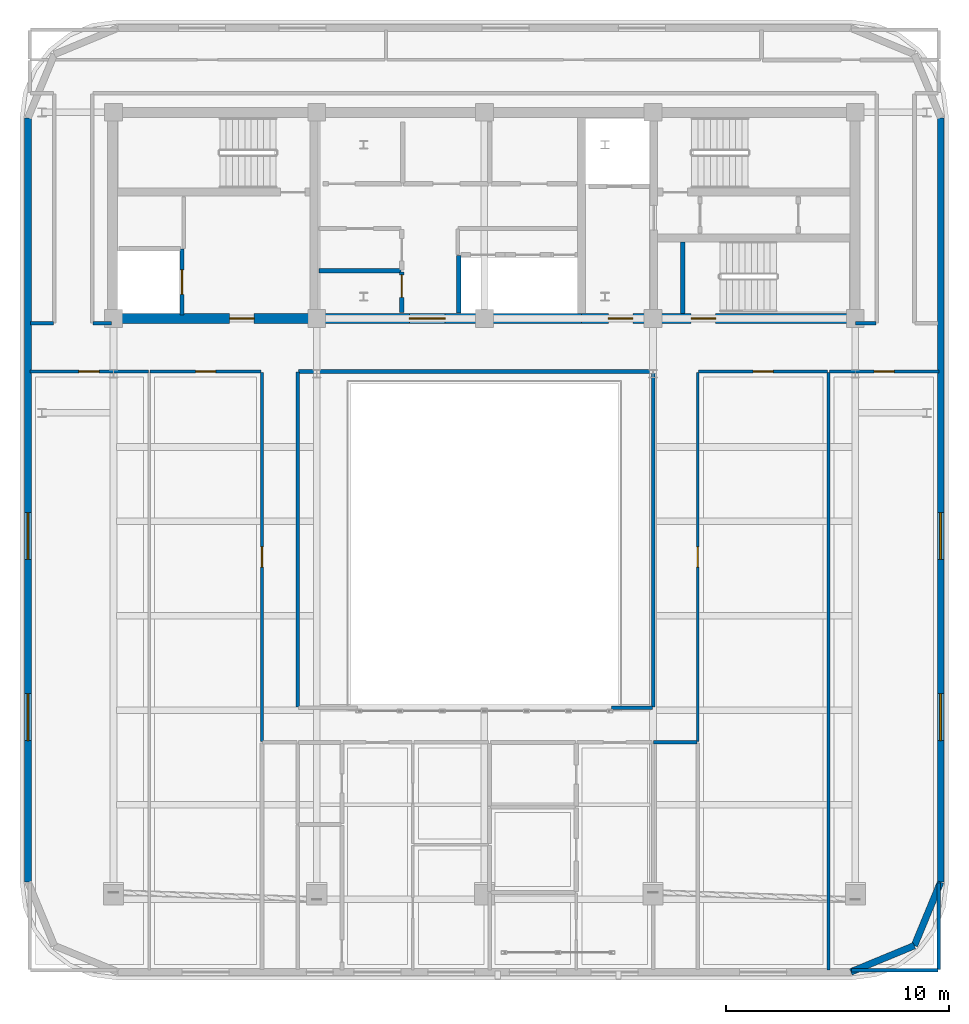
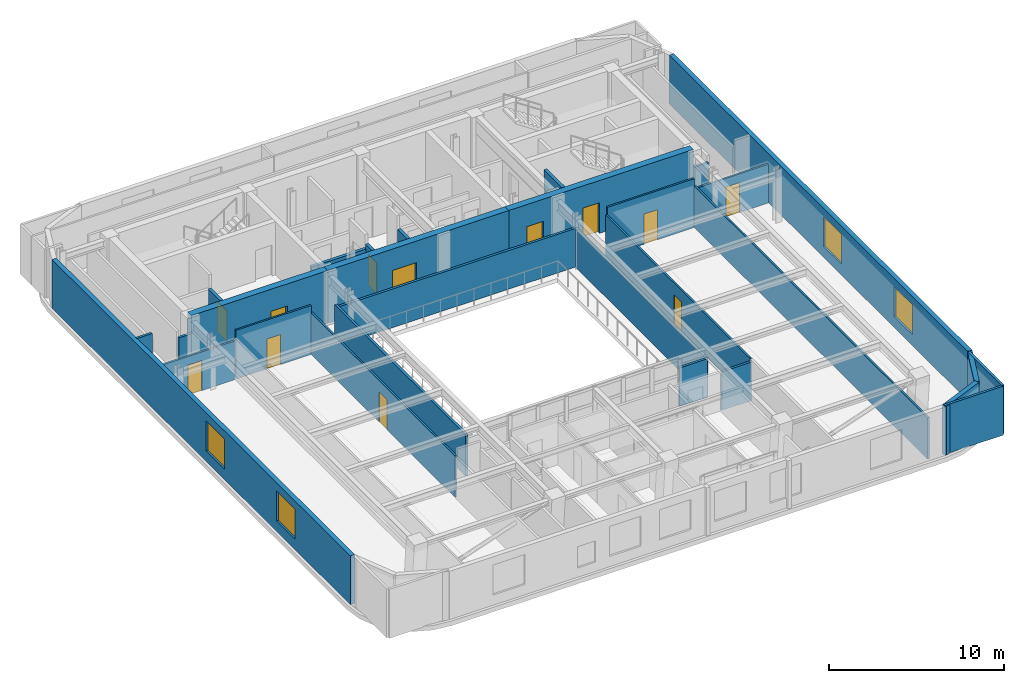
# One storey, part 7 of 12: 29 walls, 12 doors, 4 windows, 16 openings.
"""IFC4 building model written with IfcOpenShell, lengths in metres."""

from ifc_helpers import new_model, si_unit, direction, frame, frame_2d, origin, place, context, subcontext, project, spatial, rectangle, extrude, material, layer, layer_set, type_object, element, fill, save


model = new_model("IFC4")

# Units and contexts
model_context = context("Model", 3, precision=1e-05, world=origin(), true_north=direction((0.0, 1.0)))
body_context = subcontext(model_context, "Body", "Model", "MODEL_VIEW")
ifc_project = project(units=[si_unit("LENGTHUNIT", "METRE"), si_unit("AREAUNIT", "SQUARE_METRE"), si_unit("VOLUMEUNIT", "CUBIC_METRE"), si_unit("PLANEANGLEUNIT", "RADIAN"), si_unit("MASSUNIT", "GRAM", prefix="KILO")], contexts=[model_context])

# Site, building, storey
site_placement = place(None, origin())
site = spatial("IfcSite", under=ifc_project, at=site_placement, CompositionType="ELEMENT")
building_placement = place(site_placement, origin())
building = spatial("IfcBuilding", under=site, at=building_placement, Name="Zarnavel Station Tower", CompositionType="ELEMENT")
storey_placement = place(building_placement, frame((0.0, 0.0, 265.800048828125)))
storey = spatial("IfcBuildingStorey", under=building, at=storey_placement, Name="L72", CompositionType="ELEMENT", Elevation=265.800048828125)

# Wall, opening, door
ifc_material_1 = material(Name="Concrete C50/60", Category="concrete")
ifc_layer_1 = layer(ifc_material_1, 0.449951171875)
ifc_layer_set_1 = layer_set([ifc_layer_1], Name="CW_450")
wall_type_1 = type_object("IfcWallType", Name="CW_450", PredefinedType="SHEAR", material=ifc_layer_set_1)
wall_1_placement = place(storey_placement, frame((21.179931640625, 27.820068359375, 0.0), z_axis=(0.0, 0.0, 1.0), x_axis=(-1.0, 0.0, 0.0)))
wall_1 = element("IfcWall", 1, at=wall_1_placement, inside=storey, type_object=wall_type_1, Name="L72 Rear Core Shear Wall S-W", PredefinedType="SHEAR", context=body_context, shape_type="SweptSolid", body=[
    extrude(rectangle(XDim=9.030029296875, YDim=0.449951171875, at=frame_2d((4.51513671875, 0.0))), origin(), (0.0, 0.0, 1.0), 3.699951171875),
])
opening_1_placement = place(wall_1_placement, frame((2.679931640625, 0.0, 0.0)))
opening_1 = element("IfcOpeningElement", 2, at=opening_1_placement, cuts=wall_1, Name="Opening FD01", PredefinedType="OPENING", context=body_context, shape_type="SweptSolid", body=[
    extrude(rectangle(XDim=1.10009765625, YDim=2.14990234375, at=frame_2d((0.550048828125, 1.074951171875))), frame((0.0, 0.23486328125, 0.0), z_axis=(0.0, -1.0, 0.0), x_axis=(1.0, 0.0, 0.0)), (0.0, 0.0, 1.0), 0.469970703125),
])
ifc_material_2 = material(Name="Painted Galvanised Steel and Hardwood Leaf", Category="steel")
door_type_1 = type_object("IfcDoorType", Name="ID_STAIR_1100", OperationType="NOTDEFINED", PredefinedType="DOOR", material=ifc_material_2)
door_1_placement = place(opening_1_placement, origin())
door_1 = element("IfcDoor", 3, at=door_1_placement, inside=storey, type_object=door_type_1, Name="L72 West Firefighting Lobby Door", OperationType="SINGLE_SWING_RIGHT", OverallHeight=2.14990234375, OverallWidth=1.10009765625, PredefinedType="DOOR", context=body_context, shape_type="SweptSolid", body=[
    extrude(rectangle(XDim=1.10009765625, YDim=2.14990234375, at=frame_2d((0.550048828125, 1.074951171875))), frame((0.0, 0.02490234375, 0.0), z_axis=(0.0, -1.0, 0.0), x_axis=(1.0, 0.0, 0.0)), (0.0, 0.0, 1.0), 0.050048828125),
])
fill(opening_1, door_1)

wall_2_placement = place(storey_placement, frame((33.14990234375, 27.820068359375, 0.0), z_axis=(0.0, 0.0, 1.0), x_axis=(-1.0, 0.0, 0.0)))
wall_2 = element("IfcWall", 4, at=wall_2_placement, inside=storey, type_object=wall_type_1, Name="L72 Rear Core Shear Wall S-M", PredefinedType="SHEAR", context=body_context, shape_type="SweptSolid", body=[
    extrude(rectangle(XDim=11.969970703125, YDim=0.449951171875, at=frame_2d((5.98486328125, 0.0))), origin(), (0.0, 0.0, 1.0), 3.699951171875),
])
opening_2_placement = place(wall_2_placement, frame((6.10009765625, 0.0, 0.0)))
opening_2 = element("IfcOpeningElement", 5, at=opening_2_placement, cuts=wall_2, Name="Opening ID03", PredefinedType="OPENING", context=body_context, shape_type="SweptSolid", body=[
    extrude(rectangle(XDim=1.60009765625, YDim=2.199951171875, at=frame_2d((0.800048828125, 1.10009765625))), frame((0.0, 0.23486328125, 0.0), z_axis=(0.0, -1.0, 0.0), x_axis=(1.0, 0.0, 0.0)), (0.0, 0.0, 1.0), 0.469970703125),
])
ifc_material_3 = material(Name="Painted Galvanised Steel and Hardwood Leaf", Category="steel")
door_type_2 = type_object("IfcDoorType", Name="ID_PUBLIC_1600", OperationType="DOUBLE_DOOR_SINGLE_SWING", PredefinedType="DOOR", material=ifc_material_3)
door_2_placement = place(opening_2_placement, origin())
door_2 = element("IfcDoor", 6, at=door_2_placement, inside=storey, type_object=door_type_2, Name="L72 Passenger Lift Lobby Double Door", OperationType="SINGLE_SWING_LEFT", OverallHeight=2.199951171875, OverallWidth=1.60009765625, PredefinedType="DOOR", context=body_context, shape_type="SweptSolid", body=[
    extrude(rectangle(XDim=1.60009765625, YDim=2.199951171875, at=frame_2d((0.800048828125, 1.10009765625))), frame((0.0, 0.02490234375, 0.0), z_axis=(0.0, -1.0, 0.0), x_axis=(1.0, 0.0, 0.0)), (0.0, 0.0, 1.0), 0.050048828125),
])
fill(opening_2, door_2)

# Wall, openings, doors
wall_3_placement = place(storey_placement, frame((45.3798828125, 27.820068359375, 0.0), z_axis=(0.0, 0.0, 1.0), x_axis=(-1.0, 0.0, 0.0)))
wall_3 = element("IfcWall", 7, at=wall_3_placement, inside=storey, type_object=wall_type_1, Name="L72 Rear Core Shear Wall S-E", PredefinedType="SHEAR", context=body_context, shape_type="SweptSolid", body=[
    extrude(rectangle(XDim=12.22998046875, YDim=0.449951171875, at=frame_2d((6.114990234375, 0.0))), origin(), (0.0, 0.0, 1.0), 3.699951171875),
])
opening_3_placement = place(wall_3_placement, frame((9.929931640625, 0.0, 0.0)))
opening_3 = element("IfcOpeningElement", 8, at=opening_3_placement, cuts=wall_3, Name="Opening FD01", PredefinedType="OPENING", context=body_context, shape_type="SweptSolid", body=[
    extrude(rectangle(XDim=1.10009765625, YDim=2.14990234375, at=frame_2d((0.550048828125, 1.074951171875))), frame((0.0, 0.23486328125, 0.0), z_axis=(0.0, -1.0, 0.0), x_axis=(1.0, 0.0, 0.0)), (0.0, 0.0, 1.0), 0.469970703125),
])
opening_4_placement = place(wall_3_placement, frame((6.22998046875, 0.0, 0.0)))
opening_4 = element("IfcOpeningElement", 9, at=opening_4_placement, cuts=wall_3, Name="Opening FD01", PredefinedType="OPENING", context=body_context, shape_type="SweptSolid", body=[
    extrude(rectangle(XDim=1.10009765625, YDim=2.14990234375, at=frame_2d((0.550048828125, 1.074951171875))), frame((0.0, 0.23486328125, 0.0), z_axis=(0.0, -1.0, 0.0), x_axis=(1.0, 0.0, 0.0)), (0.0, 0.0, 1.0), 0.469970703125),
])
door_3_placement = place(opening_3_placement, origin())
door_3 = element("IfcDoor", 10, at=door_3_placement, inside=storey, type_object=door_type_1, Name="L72 East Firefighting Lobby Door", OperationType="SINGLE_SWING_LEFT", OverallHeight=2.14990234375, OverallWidth=1.10009765625, PredefinedType="DOOR", context=body_context, shape_type="SweptSolid", body=[
    extrude(rectangle(XDim=1.10009765625, YDim=2.14990234375, at=frame_2d((0.550048828125, 1.074951171875))), frame((0.0, 0.02490234375, 0.0), z_axis=(0.0, -1.0, 0.0), x_axis=(1.0, 0.0, 0.0)), (0.0, 0.0, 1.0), 0.050048828125),
])
fill(opening_3, door_3)
door_4_placement = place(opening_4_placement, origin())
door_4 = element("IfcDoor", 11, at=door_4_placement, inside=storey, type_object=door_type_1, Name="L72 Stair ST3 Corridor Fire Door", OperationType="SINGLE_SWING_RIGHT", OverallHeight=2.14990234375, OverallWidth=1.10009765625, PredefinedType="DOOR", context=body_context, shape_type="SweptSolid", body=[
    extrude(rectangle(XDim=1.10009765625, YDim=2.14990234375, at=frame_2d((0.550048828125, 1.074951171875))), frame((0.0, 0.02490234375, 0.0), z_axis=(0.0, -1.0, 0.0), x_axis=(1.0, 0.0, 0.0)), (0.0, 0.0, 1.0), 0.050048828125),
])
fill(opening_4, door_4)

# Walls
ifc_material_4 = material(Name="Precast concrete C45/55 (Dark Basalt Finish)", Category="masonry")
ifc_layer_2 = layer(ifc_material_4, 0.300048828125)
ifc_layer_set_2 = layer_set([ifc_layer_2], Name="EW_BASALT_300")
wall_type_2 = type_object("IfcWallType", Name="EW_BASALT_300", PredefinedType="SOLIDWALL", material=ifc_layer_set_2)
wall_4_placement = place(storey_placement, frame((48.04248046875, -0.24267578125, 0.0), z_axis=(0.0, 0.0, 1.0), x_axis=(-0.92389884758, -0.382636798336, 0.0)))
element("IfcWall", 12, at=wall_4_placement, inside=storey, type_object=wall_type_2, Name="L72 Exterior Basalt Masonry Frame Wall 01", PredefinedType="SOLIDWALL", context=body_context, shape_type="SweptSolid", body=[
    extrude(rectangle(XDim=3.07666015625, YDim=0.300048828125, at=frame_2d((1.538330078125, 0.0))), origin(), (0.0, 0.0, 1.0), 3.419921875),
])
wall_5_placement = place(storey_placement, frame((49.219970703125, 2.60009765625, 0.0), z_axis=(0.0, 0.0, 1.0), x_axis=(-0.382676475685, -0.923882414032, 0.0)))
element("IfcWall", 13, at=wall_5_placement, inside=storey, type_object=wall_type_2, Name="L72 Exterior Basalt Masonry Frame Wall 02", PredefinedType="SOLIDWALL", context=body_context, shape_type="SweptSolid", body=[
    extrude(rectangle(XDim=3.076904296875, YDim=0.300048828125, at=frame_2d((1.53857421875, 0.0))), origin(), (0.0, 0.0, 1.0), 3.419921875),
])

# Wall, openings, windows
wall_6_placement = place(storey_placement, frame((49.219970703125, 36.800048828125, 0.0), z_axis=(0.0, 0.0, 1.0), x_axis=(0.0, -1.0, 0.0)))
wall_6 = element("IfcWall", 14, at=wall_6_placement, inside=storey, type_object=wall_type_2, Name="L72 Exterior Basalt Masonry Frame Wall 03", PredefinedType="SOLIDWALL", context=body_context, shape_type="SweptSolid", body=[
    extrude(rectangle(XDim=34.199951171875, YDim=0.300048828125, at=frame_2d((17.10009765625, 0.0))), origin(), (0.0, 0.0, 1.0), 3.419921875),
])
opening_5_placement = place(wall_6_placement, frame((17.659912109375, 0.0, 0.75)))
opening_5 = element("IfcOpeningElement", 15, at=opening_5_placement, cuts=wall_6, Name="Opening WN05", PredefinedType="OPENING", context=body_context, shape_type="SweptSolid", body=[
    extrude(rectangle(XDim=2.10009765625, YDim=2.10009765625, at=frame_2d((1.050048828125, 1.050048828125))), frame((0.0, 0.159912109375, 0.0), z_axis=(0.0, -1.0, 0.0), x_axis=(1.0, 0.0, 0.0)), (0.0, 0.0, 1.0), 0.320068359375),
])
opening_6_placement = place(wall_6_placement, frame((25.77001953125, 0.0, 0.75)))
opening_6 = element("IfcOpeningElement", 16, at=opening_6_placement, cuts=wall_6, Name="Opening WN05", PredefinedType="OPENING", context=body_context, shape_type="SweptSolid", body=[
    extrude(rectangle(XDim=2.10009765625, YDim=2.10009765625, at=frame_2d((1.050048828125, 1.050048828125))), frame((0.0, 0.159912109375, 0.0), z_axis=(0.0, -1.0, 0.0), x_axis=(1.0, 0.0, 0.0)), (0.0, 0.0, 1.0), 0.320068359375),
])
ifc_material_5 = material(Name="Thermally Broken Black Aluminium and Low-E Dark Glass", Category="aluminium")
window_type = type_object("IfcWindowType", Name="WN_2100x2100", PartitioningType="TRIPLE_PANEL_VERTICAL", PredefinedType="WINDOW", material=ifc_material_5)
window_1_placement = place(opening_5_placement, origin())
window_1 = element("IfcWindow", 17, at=window_1_placement, inside=storey, type_object=window_type, Name="L72 Recessed Facade Window 01", OverallHeight=2.10009765625, OverallWidth=2.10009765625, PartitioningType="SINGLE_PANEL", PredefinedType="WINDOW", context=body_context, shape_type="SweptSolid", body=[
    extrude(rectangle(XDim=2.10009765625, YDim=2.10009765625, at=frame_2d((1.050048828125, 1.050048828125))), frame((0.0, 0.030029296875, 0.0), z_axis=(0.0, -1.0, 0.0), x_axis=(1.0, 0.0, 0.0)), (0.0, 0.0, 1.0), 0.06005859375),
])
fill(opening_5, window_1)
window_2_placement = place(opening_6_placement, origin())
window_2 = element("IfcWindow", 18, at=window_2_placement, inside=storey, type_object=window_type, Name="L72 Recessed Facade Window 02", OverallHeight=2.10009765625, OverallWidth=2.10009765625, PartitioningType="SINGLE_PANEL", PredefinedType="WINDOW", context=body_context, shape_type="SweptSolid", body=[
    extrude(rectangle(XDim=2.10009765625, YDim=2.10009765625, at=frame_2d((1.050048828125, 1.050048828125))), frame((0.0, 0.030029296875, 0.0), z_axis=(0.0, -1.0, 0.0), x_axis=(1.0, 0.0, 0.0)), (0.0, 0.0, 1.0), 0.06005859375),
])
fill(opening_6, window_2)

wall_7_placement = place(storey_placement, frame((8.3798828125, 2.60009765625, 0.0), z_axis=(0.0, 0.0, 1.0), x_axis=(0.0, 1.0, 0.0)))
wall_7 = element("IfcWall", 19, at=wall_7_placement, inside=storey, type_object=wall_type_2, Name="L72 Exterior Basalt Masonry Frame Wall 09", PredefinedType="SOLIDWALL", context=body_context, shape_type="SweptSolid", body=[
    extrude(rectangle(XDim=34.199951171875, YDim=0.300048828125, at=frame_2d((17.10009765625, 0.0))), origin(), (0.0, 0.0, 1.0), 3.419921875),
])
opening_7_placement = place(wall_7_placement, frame((6.330078125, 0.0, 0.75)))
opening_7 = element("IfcOpeningElement", 20, at=opening_7_placement, cuts=wall_7, Name="Opening WN05", PredefinedType="OPENING", context=body_context, shape_type="SweptSolid", body=[
    extrude(rectangle(XDim=2.10009765625, YDim=2.10009765625, at=frame_2d((1.050048828125, 1.050048828125))), frame((0.0, 0.159912109375, 0.0), z_axis=(0.0, -1.0, 0.0), x_axis=(1.0, 0.0, 0.0)), (0.0, 0.0, 1.0), 0.320068359375),
])
opening_8_placement = place(wall_7_placement, frame((14.43994140625, 0.0, 0.75)))
opening_8 = element("IfcOpeningElement", 21, at=opening_8_placement, cuts=wall_7, Name="Opening WN05", PredefinedType="OPENING", context=body_context, shape_type="SweptSolid", body=[
    extrude(rectangle(XDim=2.10009765625, YDim=2.10009765625, at=frame_2d((1.050048828125, 1.050048828125))), frame((0.0, 0.159912109375, 0.0), z_axis=(0.0, -1.0, 0.0), x_axis=(1.0, 0.0, 0.0)), (0.0, 0.0, 1.0), 0.320068359375),
])
window_3_placement = place(opening_7_placement, origin())
window_3 = element("IfcWindow", 22, at=window_3_placement, inside=storey, type_object=window_type, Name="L72 Recessed Facade Window 01", OverallHeight=2.10009765625, OverallWidth=2.10009765625, PartitioningType="SINGLE_PANEL", PredefinedType="WINDOW", context=body_context, shape_type="SweptSolid", body=[
    extrude(rectangle(XDim=2.10009765625, YDim=2.10009765625, at=frame_2d((1.050048828125, 1.050048828125))), frame((0.0, 0.030029296875, 0.0), z_axis=(0.0, -1.0, 0.0), x_axis=(1.0, 0.0, 0.0)), (0.0, 0.0, 1.0), 0.06005859375),
])
fill(opening_7, window_3)
window_4_placement = place(opening_8_placement, origin())
window_4 = element("IfcWindow", 23, at=window_4_placement, inside=storey, type_object=window_type, Name="L72 Recessed Facade Window 02", OverallHeight=2.10009765625, OverallWidth=2.10009765625, PartitioningType="SINGLE_PANEL", PredefinedType="WINDOW", context=body_context, shape_type="SweptSolid", body=[
    extrude(rectangle(XDim=2.10009765625, YDim=2.10009765625, at=frame_2d((1.050048828125, 1.050048828125))), frame((0.0, 0.030029296875, 0.0), z_axis=(0.0, -1.0, 0.0), x_axis=(1.0, 0.0, 0.0)), (0.0, 0.0, 1.0), 0.06005859375),
])
fill(opening_8, window_4)

# Walls
ifc_material_6 = material(Name="Gypsum Twin-Stud Acoustic Fire Partition", Category="concrete")
ifc_layer_3 = layer(ifc_material_6, 0.159912109375)
ifc_layer_set_3 = layer_set([ifc_layer_3], Name="PT_DEMISE_160")
wall_type_3 = type_object("IfcWallType", Name="PT_DEMISE_160", PredefinedType="PARTITIONING", material=ifc_layer_set_3)
wall_8_placement = place(storey_placement, frame((20.47998046875, 25.449951171875, 0.0), z_axis=(0.0, 0.0, 1.0), x_axis=(1.0, 0.0, 0.0)))
element("IfcWall", 24, at=wall_8_placement, inside=storey, type_object=wall_type_3, Name="L72 Enclosure Wall COR-S", PredefinedType="PARTITIONING", context=body_context, shape_type="SweptSolid", body=[
    extrude(rectangle(XDim=15.840087890625, YDim=0.159912109375, at=frame_2d((7.919921875, 0.0))), origin(), (0.0, 0.0, 1.0), 2.699951171875),
])
wall_9_placement = place(storey_placement, frame((8.489990234375, 27.60009765625, 0.0), z_axis=(0.0, 0.0, 1.0), x_axis=(1.0, 0.0, 0.0)))
element("IfcWall", 25, at=wall_9_placement, inside=storey, type_object=wall_type_3, Name="L72 Enclosure Wall COR-S", PredefinedType="PARTITIONING", context=body_context, shape_type="SweptSolid", body=[
    extrude(rectangle(XDim=1.030029296875, YDim=0.159912109375, at=frame_2d((0.51513671875, 0.0))), origin(), (0.0, 0.0, 1.0), 3.419921875),
])
wall_10_placement = place(storey_placement, frame((11.280029296875, 27.60009765625, 0.0), z_axis=(0.0, 0.0, 1.0), x_axis=(1.0, 0.0, 0.0)))
element("IfcWall", 26, at=wall_10_placement, inside=storey, type_object=wall_type_3, Name="L72 Enclosure Wall COR-S", PredefinedType="PARTITIONING", context=body_context, shape_type="SweptSolid", body=[
    extrude(rectangle(XDim=0.840087890625, YDim=0.159912109375, at=frame_2d((0.419921875, 0.0))), origin(), (0.0, 0.0, 1.0), 2.489990234375),
])
wall_11_placement = place(storey_placement, frame((45.409912109375, 27.60009765625, 0.0), z_axis=(0.0, 0.0, 1.0), x_axis=(1.0, 0.0, 0.0)))
element("IfcWall", 27, at=wall_11_placement, inside=storey, type_object=wall_type_3, Name="L72 Enclosure Wall COR-S", PredefinedType="PARTITIONING", context=body_context, shape_type="SweptSolid", body=[
    extrude(rectangle(XDim=0.91015625, YDim=0.159912109375, at=frame_2d((0.455078125, 0.0))), origin(), (0.0, 0.0, 1.0), 2.489990234375),
])
wall_12_placement = place(storey_placement, frame((20.449951171875, 10.429931640625, 0.0), z_axis=(0.0, 0.0, 1.0), x_axis=(0.0, 1.0, 0.0)))
element("IfcWall", 28, at=wall_12_placement, inside=storey, type_object=wall_type_3, Name="L72 Enclosure Wall COR-AW", PredefinedType="PARTITIONING", context=body_context, shape_type="SweptSolid", body=[
    extrude(rectangle(XDim=14.989990234375, YDim=0.159912109375, at=frame_2d((7.4951171875, 0.0))), origin(), (0.0, 0.0, 1.0), 2.909912109375),
])
wall_13_placement = place(storey_placement, frame((36.3798828125, 8.85009765625, 0.0), z_axis=(0.0, 0.0, 1.0), x_axis=(1.0, 0.0, 0.0)))
element("IfcWall", 29, at=wall_13_placement, inside=storey, type_object=wall_type_3, Name="L72 Enclosure Wall COR-AE", PredefinedType="PARTITIONING", context=body_context, shape_type="SweptSolid", body=[
    extrude(rectangle(XDim=1.940185546875, YDim=0.159912109375, at=frame_2d((0.97021484375, 0.0))), origin(), (0.0, 0.0, 1.0), 2.699951171875),
])
wall_14_placement = place(storey_placement, frame((36.35009765625, 10.429931640625, 0.0), z_axis=(0.0, 0.0, 1.0), x_axis=(0.0, 1.0, 0.0)))
element("IfcWall", 30, at=wall_14_placement, inside=storey, type_object=wall_type_3, Name="L72 Enclosure Wall COR-AE", PredefinedType="PARTITIONING", context=body_context, shape_type="SweptSolid", body=[
    extrude(rectangle(XDim=14.989990234375, YDim=0.159912109375, at=frame_2d((7.4951171875, 0.0))), origin(), (0.0, 0.0, 1.0), 2.699951171875),
])
wall_15_placement = place(storey_placement, frame((34.47998046875, 10.39990234375, 0.0), z_axis=(0.0, 0.0, 1.0), x_axis=(1.0, 0.0, 0.0)))
element("IfcWall", 31, at=wall_15_placement, inside=storey, type_object=wall_type_3, Name="L72 Enclosure Wall COR-AS", PredefinedType="PARTITIONING", context=body_context, shape_type="SweptSolid", body=[
    extrude(rectangle(XDim=1.840087890625, YDim=0.159912109375, at=frame_2d((0.919921875, 0.0))), origin(), (0.0, 0.0, 1.0), 2.699951171875),
])
for number, where, z_axis, x_axis, name in (
    (32, (45.22998046875, -1.340087890625, 0.0), (0.0, 0.0, 1.0), (1.0, 0.0, 0.0), "L72 Enclosure Wall L71BAR"),
    (33, (49.139892578125, -1.31005859375, 0.0), (0.0, 0.0, 1.0), (0.0, 1.0, 0.0), "L72 Enclosure Wall L71BAR"),
):
    element("IfcWall", number, at=place(storey_placement, frame(where, z_axis=z_axis, x_axis=x_axis)), inside=storey, type_object=wall_type_3, Name=name, PredefinedType="PARTITIONING", context=body_context, shape_type="SweptSolid", body=[
        extrude(rectangle(XDim=3.880126953125, YDim=0.159912109375, at=frame_2d((1.93994140625, 0.0))), origin(), (0.0, 0.0, 1.0), 3.419921875),
    ])

# Wall, opening, door
ifc_material_7 = material(Name="Gypsum Metal-Stud Interior Partition", Category="concrete")
ifc_layer_4 = layer(ifc_material_7, 0.1201171875)
ifc_layer_set_4 = layer_set([ifc_layer_4], Name="PT_ROOM_120")
wall_type_4 = type_object("IfcWallType", Name="PT_ROOM_120", PredefinedType="PARTITIONING", material=ifc_layer_set_4)
wall_16_placement = place(storey_placement, frame((8.4599609375, 25.449951171875, 0.0), z_axis=(0.0, 0.0, 1.0), x_axis=(1.0, 0.0, 0.0)))
wall_16 = element("IfcWall", 34, at=wall_16_placement, inside=storey, type_object=wall_type_4, Name="L72 Partition COR-S-L71GAL", PredefinedType="PARTITIONING", context=body_context, shape_type="SweptSolid", body=[
    extrude(rectangle(XDim=5.300048828125, YDim=0.1201171875, at=frame_2d((2.64990234375, 0.0))), origin(), (0.0, 0.0, 1.0), 2.699951171875),
])
opening_9_placement = place(wall_16_placement, frame((2.199951171875, 0.0, 0.0)))
opening_9 = element("IfcOpeningElement", 35, at=opening_9_placement, cuts=wall_16, Name="Opening ID01", PredefinedType="OPENING", context=body_context, shape_type="SweptSolid", body=[
    extrude(rectangle(XDim=0.89990234375, YDim=2.10009765625, at=frame_2d((0.449951171875, 1.050048828125))), frame((0.0, 0.070068359375, 0.0), z_axis=(0.0, -1.0, 0.0), x_axis=(1.0, 0.0, 0.0)), (0.0, 0.0, 1.0), 0.14013671875),
])
ifc_material_8 = material(Name="Painted Galvanised Steel and Hardwood Leaf", Category="steel")
door_type_3 = type_object("IfcDoorType", Name="ID_ROOM_900", OperationType="NOTDEFINED", PredefinedType="DOOR", material=ifc_material_8)
door_5_placement = place(opening_9_placement, origin())
door_5 = element("IfcDoor", 36, at=door_5_placement, inside=storey, type_object=door_type_3, Name="L72 Door COR-S-L71GAL", OperationType="SINGLE_SWING_LEFT", OverallHeight=2.10009765625, OverallWidth=0.89990234375, PredefinedType="DOOR", context=body_context, shape_type="SweptSolid", body=[
    extrude(rectangle(XDim=0.89990234375, YDim=2.10009765625, at=frame_2d((0.449951171875, 1.050048828125))), frame((0.0, 0.02490234375, 0.0), z_axis=(0.0, -1.0, 0.0), x_axis=(1.0, 0.0, 0.0)), (0.0, 0.0, 1.0), 0.050048828125),
])
fill(opening_9, door_5)

wall_17_placement = place(storey_placement, frame((13.840087890625, 25.449951171875, 0.0), z_axis=(0.0, 0.0, 1.0), x_axis=(1.0, 0.0, 0.0)))
wall_17 = element("IfcWall", 37, at=wall_17_placement, inside=storey, type_object=wall_type_4, Name="L72 Partition COR-S-L71GYM", PredefinedType="PARTITIONING", context=body_context, shape_type="SweptSolid", body=[
    extrude(rectangle(XDim=4.969970703125, YDim=0.1201171875, at=frame_2d((2.48486328125, 0.0))), origin(), (0.0, 0.0, 1.0), 3.419921875),
])
opening_10_placement = place(wall_17_placement, frame((2.034912109375, 0.0, 0.0)))
opening_10 = element("IfcOpeningElement", 38, at=opening_10_placement, cuts=wall_17, Name="Opening ID01", PredefinedType="OPENING", context=body_context, shape_type="SweptSolid", body=[
    extrude(rectangle(XDim=0.89990234375, YDim=2.10009765625, at=frame_2d((0.449951171875, 1.050048828125))), frame((0.0, 0.070068359375, 0.0), z_axis=(0.0, -1.0, 0.0), x_axis=(1.0, 0.0, 0.0)), (0.0, 0.0, 1.0), 0.14013671875),
])
door_6_placement = place(opening_10_placement, origin())
door_6 = element("IfcDoor", 39, at=door_6_placement, inside=storey, type_object=door_type_3, Name="L72 Door COR-S-L71GYM", OperationType="SINGLE_SWING_RIGHT", OverallHeight=2.10009765625, OverallWidth=0.89990234375, PredefinedType="DOOR", context=body_context, shape_type="SweptSolid", body=[
    extrude(rectangle(XDim=0.89990234375, YDim=2.10009765625, at=frame_2d((0.449951171875, 1.050048828125))), frame((0.0, 0.02490234375, 0.0), z_axis=(0.0, -1.0, 0.0), x_axis=(1.0, 0.0, 0.0)), (0.0, 0.0, 1.0), 0.050048828125),
])
fill(opening_10, door_6)

wall_18_placement = place(storey_placement, frame((38.389892578125, 25.449951171875, 0.0), z_axis=(0.0, 0.0, 1.0), x_axis=(1.0, 0.0, 0.0)))
wall_18 = element("IfcWall", 40, at=wall_18_placement, inside=storey, type_object=wall_type_4, Name="L72 Partition COR-S-L71SPA", PredefinedType="PARTITIONING", context=body_context, shape_type="SweptSolid", body=[
    extrude(rectangle(XDim=5.77001953125, YDim=0.1201171875, at=frame_2d((2.885009765625, 0.0))), origin(), (0.0, 0.0, 1.0), 3.419921875),
])
opening_11_placement = place(wall_18_placement, frame((2.43505859375, 0.0, 0.0)))
opening_11 = element("IfcOpeningElement", 41, at=opening_11_placement, cuts=wall_18, Name="Opening ID01", PredefinedType="OPENING", context=body_context, shape_type="SweptSolid", body=[
    extrude(rectangle(XDim=0.89990234375, YDim=2.10009765625, at=frame_2d((0.449951171875, 1.050048828125))), frame((0.0, 0.070068359375, 0.0), z_axis=(0.0, -1.0, 0.0), x_axis=(1.0, 0.0, 0.0)), (0.0, 0.0, 1.0), 0.14013671875),
])
door_7_placement = place(opening_11_placement, origin())
door_7 = element("IfcDoor", 42, at=door_7_placement, inside=storey, type_object=door_type_3, Name="L72 Door COR-S-L71SPA", OperationType="SINGLE_SWING_LEFT", OverallHeight=2.10009765625, OverallWidth=0.89990234375, PredefinedType="DOOR", context=body_context, shape_type="SweptSolid", body=[
    extrude(rectangle(XDim=0.89990234375, YDim=2.10009765625, at=frame_2d((0.449951171875, 1.050048828125))), frame((0.0, 0.02490234375, 0.0), z_axis=(0.0, -1.0, 0.0), x_axis=(1.0, 0.0, 0.0)), (0.0, 0.0, 1.0), 0.050048828125),
])
fill(opening_11, door_7)

wall_19_placement = place(storey_placement, frame((44.239990234375, 25.449951171875, 0.0), z_axis=(0.0, 0.0, 1.0), x_axis=(1.0, 0.0, 0.0)))
wall_19 = element("IfcWall", 43, at=wall_19_placement, inside=storey, type_object=wall_type_4, Name="L72 Partition COR-S-L71BAR", PredefinedType="PARTITIONING", context=body_context, shape_type="SweptSolid", body=[
    extrude(rectangle(XDim=4.89990234375, YDim=0.1201171875, at=frame_2d((2.449951171875, 0.0))), origin(), (0.0, 0.0, 1.0), 2.699951171875),
])
opening_12_placement = place(wall_19_placement, frame((2.0, 0.0, 0.0)))
opening_12 = element("IfcOpeningElement", 44, at=opening_12_placement, cuts=wall_19, Name="Opening ID01", PredefinedType="OPENING", context=body_context, shape_type="SweptSolid", body=[
    extrude(rectangle(XDim=0.89990234375, YDim=2.10009765625, at=frame_2d((0.449951171875, 1.050048828125))), frame((0.0, 0.070068359375, 0.0), z_axis=(0.0, -1.0, 0.0), x_axis=(1.0, 0.0, 0.0)), (0.0, 0.0, 1.0), 0.14013671875),
])
door_8_placement = place(opening_12_placement, origin())
door_8 = element("IfcDoor", 45, at=door_8_placement, inside=storey, type_object=door_type_3, Name="L72 Door COR-S-L71BAR", OperationType="SINGLE_SWING_RIGHT", OverallHeight=2.10009765625, OverallWidth=0.89990234375, PredefinedType="DOOR", context=body_context, shape_type="SweptSolid", body=[
    extrude(rectangle(XDim=0.89990234375, YDim=2.10009765625, at=frame_2d((0.449951171875, 1.050048828125))), frame((0.0, 0.02490234375, 0.0), z_axis=(0.0, -1.0, 0.0), x_axis=(1.0, 0.0, 0.0)), (0.0, 0.0, 1.0), 0.050048828125),
])
fill(opening_12, door_8)

wall_20_placement = place(storey_placement, frame((18.85009765625, 8.889892578125, 0.0), z_axis=(0.0, 0.0, 1.0), x_axis=(0.0, 1.0, 0.0)))
wall_20 = element("IfcWall", 46, at=wall_20_placement, inside=storey, type_object=wall_type_4, Name="L72 Partition COR-AW-L71GYM", PredefinedType="PARTITIONING", context=body_context, shape_type="SweptSolid", body=[
    extrude(rectangle(XDim=16.52001953125, YDim=0.1201171875, at=frame_2d((8.260009765625, 0.0))), origin(), (0.0, 0.0, 1.0), 2.909912109375),
])
opening_13_placement = place(wall_20_placement, frame((7.81005859375, 0.0, 0.0)))
opening_13 = element("IfcOpeningElement", 47, at=opening_13_placement, cuts=wall_20, Name="Opening ID01", PredefinedType="OPENING", context=body_context, shape_type="SweptSolid", body=[
    extrude(rectangle(XDim=0.89990234375, YDim=2.10009765625, at=frame_2d((0.449951171875, 1.050048828125))), frame((0.0, 0.070068359375, 0.0), z_axis=(0.0, -1.0, 0.0), x_axis=(1.0, 0.0, 0.0)), (0.0, 0.0, 1.0), 0.14013671875),
])
door_9_placement = place(opening_13_placement, origin())
door_9 = element("IfcDoor", 48, at=door_9_placement, inside=storey, type_object=door_type_3, Name="L72 Door COR-AW-L71GYM", OperationType="SINGLE_SWING_LEFT", OverallHeight=2.10009765625, OverallWidth=0.89990234375, PredefinedType="DOOR", context=body_context, shape_type="SweptSolid", body=[
    extrude(rectangle(XDim=0.89990234375, YDim=2.10009765625, at=frame_2d((0.449951171875, 1.050048828125))), frame((0.0, 0.02490234375, 0.0), z_axis=(0.0, -1.0, 0.0), x_axis=(1.0, 0.0, 0.0)), (0.0, 0.0, 1.0), 0.050048828125),
])
fill(opening_13, door_9)

wall_21_placement = place(storey_placement, frame((38.35009765625, 8.889892578125, 0.0), z_axis=(0.0, 0.0, 1.0), x_axis=(0.0, 1.0, 0.0)))
wall_21 = element("IfcWall", 49, at=wall_21_placement, inside=storey, type_object=wall_type_4, Name="L72 Partition COR-AE-L71SPA", PredefinedType="PARTITIONING", context=body_context, shape_type="SweptSolid", body=[
    extrude(rectangle(XDim=16.52001953125, YDim=0.1201171875, at=frame_2d((8.260009765625, 0.0))), origin(), (0.0, 0.0, 1.0), 2.909912109375),
])
opening_14_placement = place(wall_21_placement, frame((7.81005859375, 0.0, 0.0)))
opening_14 = element("IfcOpeningElement", 50, at=opening_14_placement, cuts=wall_21, Name="Opening ID01", PredefinedType="OPENING", context=body_context, shape_type="SweptSolid", body=[
    extrude(rectangle(XDim=0.89990234375, YDim=2.10009765625, at=frame_2d((0.449951171875, 1.050048828125))), frame((0.0, 0.070068359375, 0.0), z_axis=(0.0, -1.0, 0.0), x_axis=(1.0, 0.0, 0.0)), (0.0, 0.0, 1.0), 0.14013671875),
])
door_10_placement = place(opening_14_placement, origin())
door_10 = element("IfcDoor", 51, at=door_10_placement, inside=storey, type_object=door_type_3, Name="L72 Door COR-AE-L71SPA", OperationType="SINGLE_SWING_RIGHT", OverallHeight=2.10009765625, OverallWidth=0.89990234375, PredefinedType="DOOR", context=body_context, shape_type="SweptSolid", body=[
    extrude(rectangle(XDim=0.89990234375, YDim=2.10009765625, at=frame_2d((0.449951171875, 1.050048828125))), frame((0.0, 0.02490234375, 0.0), z_axis=(0.0, -1.0, 0.0), x_axis=(1.0, 0.0, 0.0)), (0.0, 0.0, 1.0), 0.050048828125),
])
fill(opening_14, door_10)

# Wall
wall_22_placement = place(storey_placement, frame((44.199951171875, -1.340087890625, 0.0), z_axis=(0.0, 0.0, 1.0), x_axis=(0.0, 1.0, 0.0)))
element("IfcWall", 52, at=wall_22_placement, inside=storey, type_object=wall_type_4, Name="L72 Partition L71SPA-L71BAR", PredefinedType="PARTITIONING", context=body_context, shape_type="SweptSolid", body=[
    extrude(rectangle(XDim=26.75, YDim=0.1201171875, at=frame_2d((13.375, 0.0))), origin(), (0.0, 0.0, 1.0), 2.909912109375),
])

# Wall, opening, door
ifc_material_9 = material(Name="Precast concrete C45/55 (Fire Shaft Blockwork)", Category="masonry")
ifc_layer_5 = layer(ifc_material_9, 0.199951171875)
ifc_layer_set_5 = layer_set([ifc_layer_5], Name="PT_SHAFT_200")
wall_type_5 = type_object("IfcWallType", Name="PT_SHAFT_200", PredefinedType="PARTITIONING", material=ifc_layer_set_5)
wall_23_placement = place(storey_placement, frame((15.27001953125, 27.969970703125, 0.0), z_axis=(0.0, 0.0, 1.0), x_axis=(0.0, 1.0, 0.0)))
wall_23 = element("IfcWall", 53, at=wall_23_placement, inside=storey, type_object=wall_type_5, Name="L72 Lift FFL-01 Shaft Front Wall", PredefinedType="PARTITIONING", context=body_context, shape_type="SweptSolid", body=[
    extrude(rectangle(XDim=2.9599609375, YDim=0.199951171875, at=frame_2d((1.47998046875, 0.0))), origin(), (0.0, 0.0, 1.0), 2.489990234375),
])
opening_15_placement = place(wall_23_placement, frame((0.929931640625, 0.0, 0.0)))
opening_15 = element("IfcOpeningElement", 54, at=opening_15_placement, cuts=wall_23, Name="Opening LD01", PredefinedType="OPENING", context=body_context, shape_type="SweptSolid", body=[
    extrude(rectangle(XDim=1.10009765625, YDim=2.14990234375, at=frame_2d((0.550048828125, 1.074951171875))), frame((0.0, 0.10986328125, 0.0), z_axis=(0.0, -1.0, 0.0), x_axis=(1.0, 0.0, 0.0)), (0.0, 0.0, 1.0), 0.219970703125),
])
ifc_material_10 = material(Name="Painted Galvanised Steel and Hardwood Leaf", Category="steel")
door_type_4 = type_object("IfcDoorType", Name="LD_FF_1100", OperationType="DOUBLE_DOOR_SLIDING", PredefinedType="DOOR", material=ifc_material_10)
door_11_placement = place(opening_15_placement, origin())
door_11 = element("IfcDoor", 55, at=door_11_placement, inside=storey, type_object=door_type_4, Name="L72 Lift FFL-01 Sliding Landing Door", OperationType="DOUBLE_DOOR_SLIDING", OverallHeight=2.14990234375, OverallWidth=1.10009765625, PredefinedType="DOOR", context=body_context, shape_type="SweptSolid", body=[
    extrude(rectangle(XDim=1.10009765625, YDim=2.14990234375, at=frame_2d((0.550048828125, 1.074951171875))), frame((0.0, 0.02490234375, 0.0), z_axis=(0.0, -1.0, 0.0), x_axis=(1.0, 0.0, 0.0)), (0.0, 0.0, 1.0), 0.050048828125),
])
fill(opening_15, door_11)

# Walls
wall_24_placement = place(storey_placement, frame((27.64990234375, 28.070068359375, 0.0), z_axis=(0.0, 0.0, 1.0), x_axis=(0.0, 1.0, 0.0)))
element("IfcWall", 56, at=wall_24_placement, inside=storey, type_object=wall_type_5, Name="L72 High-Rise Lift Bank West Shaft Wall", PredefinedType="PARTITIONING", context=body_context, shape_type="SweptSolid", body=[
    extrude(rectangle(XDim=2.579833984375, YDim=0.199951171875, at=frame_2d((1.2900390625, 0.0))), origin(), (0.0, 0.0, 1.0), 2.489990234375),
])
wall_25_placement = place(storey_placement, frame((37.679931640625, 28.044921875, 0.0), z_axis=(0.0, 0.0, 1.0), x_axis=(0.0, 1.0, 0.0)))
element("IfcWall", 57, at=wall_25_placement, inside=storey, type_object=wall_type_5, Name="L72 Stair ST3 West Shaft Wall", PredefinedType="PARTITIONING", context=body_context, shape_type="SweptSolid", body=[
    extrude(rectangle(XDim=3.205078125, YDim=0.199951171875, at=frame_2d((1.6025390625, 0.0))), origin(), (0.0, 0.0, 1.0), 2.800048828125),
])

# Wall, opening, door
wall_26_placement = place(storey_placement, frame((25.10009765625, 28.090087890625, 0.0), z_axis=(0.0, 0.0, 1.0), x_axis=(0.0, 1.0, 0.0)))
wall_26 = element("IfcWall", 58, at=wall_26_placement, inside=storey, type_object=wall_type_5, Name="L72 Partition LLOBS-CS1", PredefinedType="PARTITIONING", context=body_context, shape_type="SweptSolid", body=[
    extrude(rectangle(XDim=1.81982421875, YDim=0.199951171875, at=frame_2d((0.909912109375, 0.0))), origin(), (0.0, 0.0, 1.0), 2.800048828125),
])
opening_16_placement = place(wall_26_placement, frame((0.679931640625, 0.0, 0.0)))
opening_16 = element("IfcOpeningElement", 59, at=opening_16_placement, cuts=wall_26, Name="Opening FD02", PredefinedType="OPENING", context=body_context, shape_type="SweptSolid", body=[
    extrude(rectangle(XDim=1.0, YDim=2.14990234375, at=frame_2d((0.5, 1.074951171875))), frame((0.0, 0.10986328125, 0.0), z_axis=(0.0, -1.0, 0.0), x_axis=(1.0, 0.0, 0.0)), (0.0, 0.0, 1.0), 0.219970703125),
])
ifc_material_11 = material(Name="Painted Galvanised Steel and Hardwood Leaf", Category="steel")
door_type_5 = type_object("IfcDoorType", Name="ID_ENTRY_1000", OperationType="NOTDEFINED", PredefinedType="DOOR", material=ifc_material_11)
door_12_placement = place(opening_16_placement, origin())
door_12 = element("IfcDoor", 60, at=door_12_placement, inside=storey, type_object=door_type_5, Name="L72 Door LLOBS-CS1", OperationType="SINGLE_SWING_LEFT", OverallHeight=2.14990234375, OverallWidth=1.0, PredefinedType="DOOR", context=body_context, shape_type="SweptSolid", body=[
    extrude(rectangle(XDim=1.0, YDim=2.14990234375, at=frame_2d((0.5, 1.074951171875))), frame((0.0, 0.02490234375, 0.0), z_axis=(0.0, -1.0, 0.0), x_axis=(1.0, 0.0, 0.0)), (0.0, 0.0, 1.0), 0.050048828125),
])
fill(opening_16, door_12)

# Wall
wall_27_placement = place(storey_placement, frame((21.39990234375, 29.949951171875, 0.0), z_axis=(0.0, 0.0, 1.0), x_axis=(1.0, 0.0, 0.0)))
element("IfcWall", 61, at=wall_27_placement, inside=storey, type_object=wall_type_5, Name="L72 Partition CS1-CS2", PredefinedType="PARTITIONING", context=body_context, shape_type="SweptSolid", body=[
    extrude(rectangle(XDim=3.66015625, YDim=0.199951171875, at=frame_2d((1.830078125, 0.0))), origin(), (0.0, 0.0, 1.0), 2.489990234375),
])

save(model, "model.ifc")
